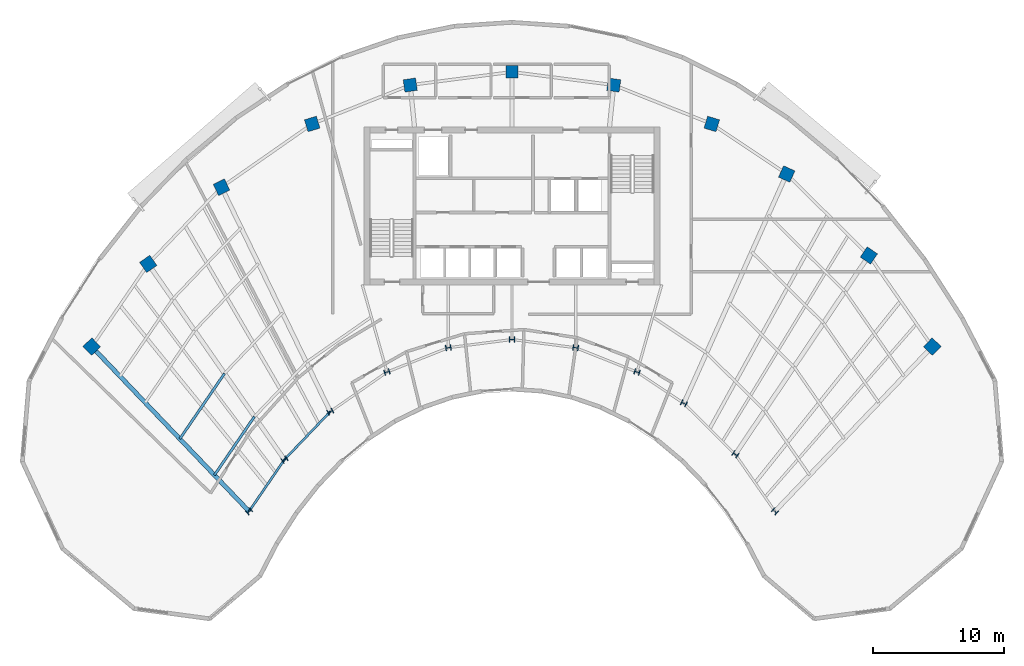
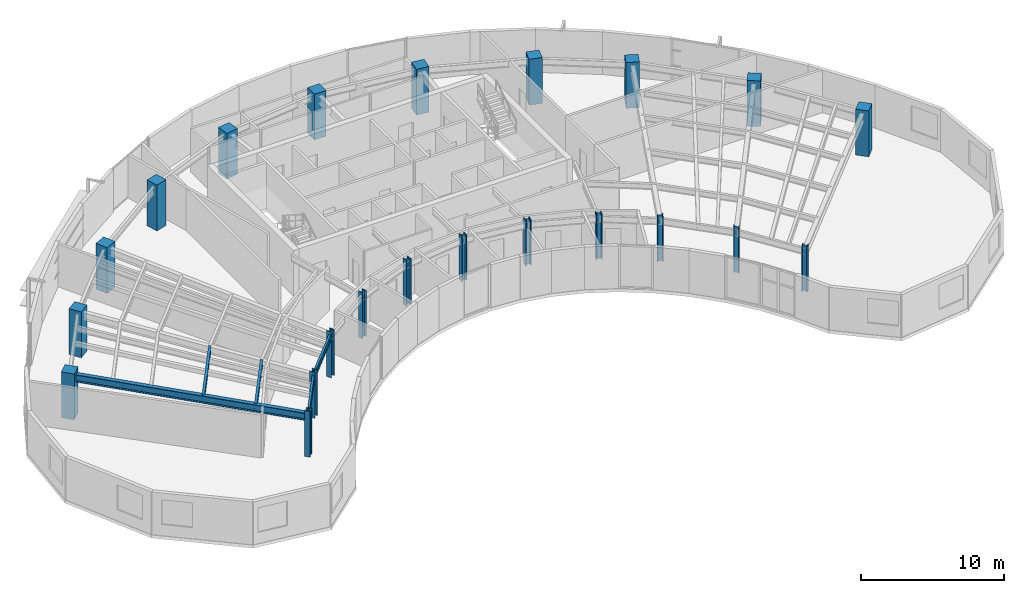
# One storey, part 1 of 14: 22 columns, 5 beams.
"""IFC4 building model written with IfcOpenShell, lengths in metres."""

import ifcopenshell
import ifcopenshell.guid

model = None  # the IFC model being written
_history = None  # IfcOwnerHistory: only IFC2X3 demands one
_inside = {}  # id of a spatial element -> (the spatial element, [elements in it])
_under = {}  # id of a project, library or spatial element -> (it, [spatial elements below it])
_declared = {}  # id of a project -> (the project, [libraries it declares])
_typed = {}  # id of a type object -> (the type object, [elements of that type])
_made_of = {}  # id of a material, layer set ... -> (it, [elements and type objects made of it])


def new_model(schema):
    """Start an empty IFC model of exactly this schema.

    Asked for "IFC4X3", IfcOpenShell would pick the latest addendum, in which some entities
    have other attributes; the version numbers below select the first issue.
    IFC2X3 requires an IfcOwnerHistory on every rooted entity: one is made here for all.
    """
    global model, _history
    if schema == "IFC4X3":
        model = ifcopenshell.file(schema_version=(4, 3, 0, 0))
    else:
        model = ifcopenshell.file(schema=schema)
    _inside.clear()
    _under.clear()
    _declared.clear()
    _typed.clear()
    _made_of.clear()
    _history = None
    if model.schema == "IFC2X3":
        org = make("IfcOrganization", Name="unknown")
        user = make(
            "IfcPersonAndOrganization",
            ThePerson=make("IfcPerson", FamilyName="unknown"),
            TheOrganization=org,
        )
        app = make(
            "IfcApplication",
            ApplicationDeveloper=org,
            Version="unknown",
            ApplicationFullName="unknown",
            ApplicationIdentifier="unknown",
        )
        _history = make(
            "IfcOwnerHistory",
            OwningUser=user,
            OwningApplication=app,
            ChangeAction="ADDED",
            CreationDate=0,
        )
    return model


def make(cls, **values):
    """One entity of the class cls with the attributes given. An attribute that is None is left unset."""
    return model.create_entity(
        cls, **{name: value for name, value in values.items() if value is not None}
    )


def rooted(cls, **values):
    """An entity with a GlobalId (a new one), such as an element, a storey or a relation."""
    return make(cls, GlobalId=ifcopenshell.guid.new(), OwnerHistory=_history, **values)


def si_unit(unit_type, name, prefix=None):
    """IfcSIUnit, for example si_unit("LENGTHUNIT", "METRE", prefix="MILLI")."""
    return make("IfcSIUnit", UnitType=unit_type, Prefix=prefix, Name=name)


def assignment(units):
    """IfcUnitAssignment: the units of a project."""
    return None if units is None else make("IfcUnitAssignment", Units=units)


def point(xyz):
    """IfcCartesianPoint."""
    return None if xyz is None else make("IfcCartesianPoint", Coordinates=xyz)


def direction(xyz):
    """IfcDirection."""
    return None if xyz is None else make("IfcDirection", DirectionRatios=xyz)


def frame(location, z_axis=None, x_axis=None):
    """IfcAxis2Placement3D, a coordinate frame: its origin and axes. An axis left out is left unset."""
    return make(
        "IfcAxis2Placement3D",
        Location=point(location),
        Axis=direction(z_axis),
        RefDirection=direction(x_axis),
    )


def frame_2d(location, x_axis=None):
    """IfcAxis2Placement2D, a coordinate frame in the plane: its origin and x axis."""
    return make(
        "IfcAxis2Placement2D", Location=point(location), RefDirection=direction(x_axis)
    )


def origin():
    """The frame at (0, 0, 0) with its axes left unset."""
    return frame((0.0, 0.0, 0.0))


def origin_2d():
    """The frame at (0, 0) in the plane with its x axis left unset."""
    return frame_2d((0.0, 0.0))


def place(relative_to, where):
    """IfcLocalPlacement: puts the frame where relative to a parent placement (None: the world)."""
    return make(
        "IfcLocalPlacement", PlacementRelTo=relative_to, RelativePlacement=where
    )


def context(
    kind, dimensions, precision=None, world=None, true_north=None, identifier=None
):
    """IfcGeometricRepresentationContext, for example the 3D "Model" context."""
    return make(
        "IfcGeometricRepresentationContext",
        ContextIdentifier=identifier,
        ContextType=kind,
        CoordinateSpaceDimension=dimensions,
        Precision=precision,
        WorldCoordinateSystem=world,
        TrueNorth=true_north,
    )


def subcontext(parent, identifier, kind, view, scale=None):
    """IfcGeometricRepresentationSubContext, for example "Body" below "Model"."""
    return make(
        "IfcGeometricRepresentationSubContext",
        ContextIdentifier=identifier,
        ContextType=kind,
        ParentContext=parent,
        TargetScale=scale,
        TargetView=view,
    )


def project(units=None, contexts=None):
    """IfcProject with its units and contexts."""
    return rooted(
        "IfcProject",
        Name="project",
        RepresentationContexts=contexts,
        UnitsInContext=assignment(units),
    )


def spatial(cls, under=None, at=None, **own):
    """A site, building, storey or space (cls), placed at a placement, below another one or the project."""
    s = rooted(cls, ObjectPlacement=at, **own)
    if under is not None:
        _under.setdefault(under.id(), (under, []))[1].append(s)
    return s


def profile(cls, at=None, kind="AREA", **sizes):
    """A parametric profile (cls). Its sizes go by their IFC names, for example OverallWidth=200.0."""
    return make(cls, ProfileType=kind, Position=at, **sizes)


def rectangle(**sizes):
    """IfcRectangleProfileDef."""
    return profile("IfcRectangleProfileDef", **sizes)


def i_section(**sizes):
    """IfcIShapeProfileDef."""
    return profile("IfcIShapeProfileDef", **sizes)


def extrude(swept, where, along, depth):
    """IfcExtrudedAreaSolid: the profile swept, set in the frame where, extruded along a direction by depth."""
    return make(
        "IfcExtrudedAreaSolid",
        SweptArea=swept,
        Position=where,
        ExtrudedDirection=direction(along),
        Depth=depth,
    )


def shape(context_of_items, identifier, shape_type, items):
    """IfcShapeRepresentation: the items that make up one representation, for example the "Body"."""
    return make(
        "IfcShapeRepresentation",
        ContextOfItems=context_of_items,
        RepresentationIdentifier=identifier,
        RepresentationType=shape_type,
        Items=items,
    )


def source(mapping_origin, context_of_items, identifier, shape_type, items):
    """IfcRepresentationMap: a shape defined once, which mapped items show again and again."""
    return make(
        "IfcRepresentationMap",
        MappingOrigin=mapping_origin,
        MappedRepresentation=shape(context_of_items, identifier, shape_type, items),
    )


def transform(
    local_origin,
    x_axis=None,
    y_axis=None,
    z_axis=None,
    scale=None,
    scale2=None,
    scale3=None,
    uniform=True,
):
    """IfcCartesianTransformationOperator3D, or its non-uniform kind. x_axis, y_axis, z_axis: its Axis1, 2, 3."""
    if uniform:
        return make(
            "IfcCartesianTransformationOperator3D",
            Axis1=direction(x_axis),
            Axis2=direction(y_axis),
            LocalOrigin=point(local_origin),
            Scale=scale,
            Axis3=direction(z_axis),
        )
    return make(
        "IfcCartesianTransformationOperator3DnonUniform",
        Axis1=direction(x_axis),
        Axis2=direction(y_axis),
        LocalOrigin=point(local_origin),
        Scale=scale,
        Axis3=direction(z_axis),
        Scale2=scale2,
        Scale3=scale3,
    )


def mapped(mapping_source, mapping_target):
    """IfcMappedItem: shows the shape of a source again, moved by a transform."""
    return make(
        "IfcMappedItem", MappingSource=mapping_source, MappingTarget=mapping_target
    )


def material(Name=None, Category=None):
    """IfcMaterial."""
    return make("IfcMaterial", Name=Name, Category=Category)


def material_profile(
    of_material, cross_section, Name=None, Category=None, Priority=None
):
    """IfcMaterialProfile: a cross section and its material."""
    return make(
        "IfcMaterialProfile",
        Name=Name,
        Material=of_material,
        Profile=cross_section,
        Priority=Priority,
        Category=Category,
    )


def profile_set(profiles, Name=None, composite=None):
    """IfcMaterialProfileSet."""
    return make(
        "IfcMaterialProfileSet",
        Name=Name,
        MaterialProfiles=profiles,
        CompositeProfile=composite,
    )


def made_of(thing, what):
    """Note that an element or type object is made of a material, layer set ...; save() writes the relation."""
    if what is not None:
        _made_of.setdefault(what.id(), (what, []))[1].append(thing)
    return thing


def type_object(cls, material=None, **own):
    """A type object (cls), such as IfcWallType, which elements share."""
    return made_of(rooted(cls, **own), material)


def type_shapes(of_type, sources):
    """Give a type object the sources (RepresentationMaps) that its elements show as mapped items."""
    of_type.RepresentationMaps = sources


def element(
    cls,
    number,
    at=None,
    inside=None,
    cuts=None,
    type_object=None,
    material=None,
    context=None,
    identifier="Body",
    shape_type=None,
    held_by="IfcProductDefinitionShape",
    body=None,
    shapes=None,
    **own,
):
    """One element of the class cls, such as IfcWall. Its Tag is "e" and its number.

    at: its placement. inside: the storey or other place that contains it. cuts: it is an
    opening in that element (IfcRelVoidsElement). A single representation is given by context,
    identifier, shape_type and body (its items); several are given by shapes. held_by: the class
    of the entity that holds the representations. save() writes the other relations.
    """
    e = rooted(cls, Tag="e%d" % number, ObjectPlacement=at, **own)
    if body is not None:
        shapes = [shape(context, identifier, shape_type, body)]
    if shapes is not None:
        e.Representation = make(held_by, Representations=shapes)
    if inside is not None:
        _inside.setdefault(inside.id(), (inside, []))[1].append(e)
    if cuts is not None:
        rooted(
            "IfcRelVoidsElement", RelatingBuildingElement=cuts, RelatedOpeningElement=e
        )
    if type_object is not None:
        _typed.setdefault(type_object.id(), (type_object, []))[1].append(e)
    return made_of(e, material)


def aggregate(whole, parts):
    """IfcRelAggregates: a whole, such as a stair, and the parts it consists of."""
    return rooted("IfcRelAggregates", RelatingObject=whole, RelatedObjects=parts)


def save(model, path):
    """Write the relations noted so far, then the file.

    IfcRelAggregates (storeys below a building ...), IfcRelContainedInSpatialStructure (elements
    in a storey), IfcRelDefinesByType, IfcRelAssociatesMaterial and IfcRelDeclares: one each for
    every whole, place, type object, material and project.
    """
    for whole, parts in _under.values():
        aggregate(whole, parts)
    for where, things in _inside.values():
        rooted(
            "IfcRelContainedInSpatialStructure",
            RelatedElements=things,
            RelatingStructure=where,
        )
    for kind, things in _typed.values():
        rooted("IfcRelDefinesByType", RelatedObjects=things, RelatingType=kind)
    for what, things in _made_of.values():
        rooted("IfcRelAssociatesMaterial", RelatedObjects=things, RelatingMaterial=what)
    for by, libraries in _declared.values():
        rooted("IfcRelDeclares", RelatingContext=by, RelatedDefinitions=libraries)
    model.write(path)


model = new_model("IFC4")

# Units and contexts
model_context = context("Model", 3, precision=1e-05, world=origin(), true_north=direction((0.0, 1.0)))
body_context = subcontext(model_context, "Body", "Model", "MODEL_VIEW")
ifc_project = project(units=[si_unit("LENGTHUNIT", "METRE"), si_unit("AREAUNIT", "SQUARE_METRE"), si_unit("VOLUMEUNIT", "CUBIC_METRE"), si_unit("PLANEANGLEUNIT", "RADIAN"), si_unit("MASSUNIT", "GRAM", prefix="KILO")], contexts=[model_context])

# Site, building, storey
site_placement = place(None, origin())
site = spatial("IfcSite", under=ifc_project, at=site_placement, CompositionType="ELEMENT")
building_placement = place(site_placement, origin())
building = spatial("IfcBuilding", under=site, at=building_placement, Name="Breltana Convention Tower", CompositionType="ELEMENT")
storey_placement = place(building_placement, frame((0.0, 0.0, 219.60009765625)))
storey = spatial("IfcBuildingStorey", under=building, at=storey_placement, Name="L53", CompositionType="ELEMENT", Elevation=219.60009765625)

# Columns
ifc_material_1 = material(Name="Steel ASTM A992 Grade 50", Category="steel")
ifc_material_profile_1 = material_profile(ifc_material_1, i_section(OverallWidth=0.406005859375, OverallDepth=0.416015625, WebThickness=0.02978515625, FlangeThickness=0.048095703125, at=origin_2d()), Name="W14X257")
ifc_profile_set_1 = profile_set([ifc_material_profile_1], Name="Steel ASTM A992 Grade 50")
column_type_1 = type_object("IfcColumnType", Name="COL-STL-W14X257", PredefinedType="COLUMN", material=ifc_profile_set_1)
shared_shape_1 = source(origin(), body_context, "Body", "SweptSolid", [
    extrude(i_section(OverallWidth=0.406005859375, OverallDepth=0.416015625, WebThickness=0.02978515625, FlangeThickness=0.048095703125, at=origin_2d()), origin(), (0.0, 0.0, 1.0), 3.89990234375),
])
for number, where, z_axis, x_axis, name in (
    (1, (27.984619140625, 42.95458984375, 0.0), (0.0, 0.0, 1.0), (-0.690756218984, 0.723087716626, 0.0), "L53 Tower Column R01-IN"),
    (2, (30.67724609375, 46.892333984375, 0.0), (0.0, 0.0, 1.0), (-0.571143442153, 0.820850271661, 0.0), "L53 Tower Column R02-IN"),
    (3, (34.166259765625, 50.544921875, 0.0), (0.0, 0.0, 1.0), (-0.436173672171, 0.899862504889, 0.0), "L53 Tower Column R03-IN"),
    (4, (38.485107421875, 53.5576171875, 0.0), (0.0, 0.0, 1.0), (-0.288697611798, 0.957420330337, 0.0), "L53 Tower Column R04-IN"),
    (5, (43.153564453125, 55.41064453125, 0.0), (0.0, 0.0, 1.0), (-0.143492621991, 0.98965138682, 0.0), "L53 Tower Column R05-IN"),
    (6, (48.0, 56.035888671875, 0.0), (0.0, 0.0, 1.0), (0.0, 1.0, 0.0), "L53 Tower Column R06-IN"),
    (7, (52.846435546875, 55.41064453125, 0.0), (0.0, 0.0, 1.0), (0.143492621991, 0.98965138682, 0.0), "L53 Tower Column R07-IN"),
    (8, (57.514892578125, 53.5576171875, 0.0), (0.0, 0.0, 1.0), (0.288697611798, 0.957420330337, 0.0), "L53 Tower Column R08-IN"),
    (9, (61.08203125, 51.174560546875, 0.0), (0.0, 0.0, 1.0), (0.409126902895, 0.912477494148, 0.0), "L53 Tower Column R09-IN"),
    (10, (64.995849609375, 47.293701171875, 0.0), (0.0, 0.0, 1.0), (0.55774510898, 0.830012285095, 0.0), "L53 Tower Column R10-IN"),
    (11, (68.015380859375, 42.95458984375, 0.0), (0.0, 0.0, 1.0), (0.690756218984, 0.723087716626, 0.0), "L53 Tower Column R11-IN"),
):
    element("IfcColumn", number, at=place(storey_placement, frame(where, z_axis=z_axis, x_axis=x_axis)), inside=storey, type_object=column_type_1, Name=name, PredefinedType="COLUMN", context=body_context, shape_type="MappedRepresentation", body=[
        mapped(shared_shape_1, transform((0.0, 0.0, 0.0), scale=1.0)),
    ])
ifc_material_2 = material(Name="Concrete C50/60", Category="concrete")
ifc_material_profile_2 = material_profile(ifc_material_2, rectangle(XDim=0.949951171875, YDim=0.949951171875, at=origin_2d()), Name="RC-COL-950X950")
ifc_profile_set_2 = profile_set([ifc_material_profile_2], Name="Concrete C50/60")
column_type_2 = type_object("IfcColumnType", Name="COL-RC-950", PredefinedType="COLUMN", material=ifc_profile_set_2)
shared_shape_2 = source(origin(), body_context, "Body", "SweptSolid", [
    extrude(rectangle(XDim=0.949951171875, YDim=0.949951171875, at=origin_2d()), origin(), (0.0, 0.0, 1.0), 3.89990234375),
])
for number, where, z_axis, x_axis, name in (
    (12, (16.0068359375, 55.494384765625, 0.0), (0.0, 0.0, 1.0), (-0.690756218984, 0.723087716626, 0.0), "L53 Tower Column R01-OUT"),
    (13, (20.310791015625, 61.78857421875, 0.0), (0.0, 0.0, 1.0), (-0.571143442153, 0.820850271661, 0.0), "L53 Tower Column R02-OUT"),
    (14, (25.8876953125, 67.626953125, 0.0), (0.0, 0.0, 1.0), (-0.436173672171, 0.899862504889, 0.0), "L53 Tower Column R03-OUT"),
    (15, (32.791015625, 72.4423828125, 0.0), (0.0, 0.0, 1.0), (-0.288697611798, 0.957420330337, 0.0), "L53 Tower Column R04-OUT"),
    (16, (40.253173828125, 75.404296875, 0.0), (0.0, 0.0, 1.0), (-0.143492621991, 0.98965138682, 0.0), "L53 Tower Column R05-OUT"),
    (17, (48.0, 76.404052734375, 0.0), (0.0, 0.0, 1.0), (0.0, 1.0, 0.0), "L53 Tower Column R06-OUT"),
    (18, (55.746826171875, 75.404296875, 0.0), (0.0, 0.0, 1.0), (0.143492621991, 0.98965138682, 0.0), "L53 Tower Column R07-OUT"),
    (19, (63.208984375, 72.4423828125, 0.0), (0.0, 0.0, 1.0), (0.288697611798, 0.957420330337, 0.0), "L53 Tower Column R08-OUT"),
    (20, (68.910400390625, 68.63330078125, 0.0), (0.0, 0.0, 1.0), (0.409126902895, 0.912477494148, 0.0), "L53 Tower Column R09-OUT"),
    (21, (75.166748046875, 62.43017578125, 0.0), (0.0, 0.0, 1.0), (0.55774510898, 0.830012285095, 0.0), "L53 Tower Column R10-OUT"),
    (22, (79.9931640625, 55.494384765625, 0.0), (0.0, 0.0, 1.0), (0.690756218984, 0.723087716626, 0.0), "L53 Tower Column R11-OUT"),
):
    element("IfcColumn", number, at=place(storey_placement, frame(where, z_axis=z_axis, x_axis=x_axis)), inside=storey, type_object=column_type_2, Name=name, PredefinedType="COLUMN", context=body_context, shape_type="MappedRepresentation", body=[
        mapped(shared_shape_2, transform((0.0, 0.0, 0.0), scale=1.0)),
    ])

# Beams
ifc_material_profile_3 = material_profile(ifc_material_1, i_section(OverallWidth=0.19091796875, OverallDepth=0.4599609375, WebThickness=0.010009765625, FlangeThickness=0.01611328125, at=origin_2d()), Name="W18X55")
ifc_profile_set_3 = profile_set([ifc_material_profile_3], Name="Steel ASTM A992 Grade 50")
beam_type_1 = type_object("IfcBeamType", Name="BM-JSG-07", PredefinedType="JOIST", material=ifc_profile_set_3)
shared_shape_3 = source(origin(), body_context, "Body", "SweptSolid", [
    extrude(i_section(OverallWidth=0.19091796875, OverallDepth=0.4599609375, WebThickness=0.010009765625, FlangeThickness=0.01611328125, at=origin_2d()), origin(), (0.0, 0.0, 1.0), 5.3984375),
])
type_shapes(beam_type_1, [shared_shape_3])
beam_1_placement = place(storey_placement, frame((25.349365234375, 45.71337890625, 3.409912109375), z_axis=(0.564440705434, 0.825473615599, 0.0), x_axis=(-0.825473615599, 0.564440705434, 0.0)))
element("IfcBeam", 23, at=beam_1_placement, inside=storey, type_object=beam_type_1, Name="L53 Composite Floor Joist 01.1", PredefinedType="JOIST", context=body_context, shape_type="MappedRepresentation", body=[
    mapped(shared_shape_3, transform((0.0, 0.0, 0.0), scale=1.0)),
])
shared_shape_4 = source(origin(), body_context, "Body", "SweptSolid", [
    extrude(i_section(OverallWidth=0.19091796875, OverallDepth=0.4599609375, WebThickness=0.010009765625, FlangeThickness=0.01611328125, at=origin_2d()), origin(), (0.0, 0.0, 1.0), 6.0263671875),
])
beam_2_placement = place(storey_placement, frame((22.71435546875, 48.47216796875, 3.409912109375), z_axis=(0.564450071397, 0.825467211281, 0.0), x_axis=(-0.825467211281, 0.564450071397, 0.0)))
element("IfcBeam", 24, at=beam_2_placement, inside=storey, type_object=beam_type_1, Name="L53 Composite Floor Joist 01.2", PredefinedType="JOIST", context=body_context, shape_type="MappedRepresentation", body=[
    mapped(shared_shape_4, transform((0.0, 0.0, 0.0), scale=1.0)),
])
ifc_material_profile_4 = material_profile(ifc_material_1, i_section(OverallWidth=0.166015625, OverallDepth=0.534912109375, WebThickness=0.01025390625, FlangeThickness=0.0166015625, at=origin_2d()), Name="W21X57")
ifc_profile_set_4 = profile_set([ifc_material_profile_4], Name="Steel ASTM A992 Grade 50")
beam_type_2 = type_object("IfcBeamType", Name="BM-BM-W21X57", PredefinedType="BEAM", material=ifc_profile_set_4)
shared_shape_5 = source(origin(), body_context, "Body", "SweptSolid", [
    extrude(i_section(OverallWidth=0.166015625, OverallDepth=0.534912109375, WebThickness=0.01025390625, FlangeThickness=0.0166015625, at=origin_2d()), origin(), (0.0, 0.0, 1.0), 4.770263671875),
])
beam_3_placement = place(storey_placement, frame((27.984619140625, 42.95458984375, 3.372314453125), z_axis=(0.564452719055, 0.82546540082, 0.0), x_axis=(-0.82546540082, 0.564452719055, 0.0)))
element("IfcBeam", 25, at=beam_3_placement, inside=storey, type_object=beam_type_2, Name="L53 Inner Ring Beam 01", PredefinedType="BEAM", context=body_context, shape_type="MappedRepresentation", body=[
    mapped(shared_shape_5, transform((0.0, 0.0, 0.0), scale=1.0)),
])
shared_shape_6 = source(origin(), body_context, "Body", "SweptSolid", [
    extrude(i_section(OverallWidth=0.166015625, OverallDepth=0.534912109375, WebThickness=0.01025390625, FlangeThickness=0.0166015625, at=origin_2d()), origin(), (0.0, 0.0, 1.0), 5.05126953125),
])
beam_4_placement = place(storey_placement, frame((30.67724609375, 46.892333984375, 3.372314453125), z_axis=(0.690729753845, 0.7231129975, 0.0), x_axis=(-0.7231129975, 0.690729753845, 0.0)))
element("IfcBeam", 26, at=beam_4_placement, inside=storey, type_object=beam_type_2, Name="L53 Inner Ring Beam 02", PredefinedType="BEAM", context=body_context, shape_type="MappedRepresentation", body=[
    mapped(shared_shape_6, transform((0.0, 0.0, 0.0), scale=1.0)),
])
ifc_material_profile_5 = material_profile(ifc_material_1, i_section(OverallWidth=0.326904296875, OverallDepth=0.6220703125, WebThickness=0.015380859375, FlangeThickness=0.0244140625, at=origin_2d()), Name="W24X131")
ifc_profile_set_5 = profile_set([ifc_material_profile_5], Name="Steel ASTM A992 Grade 50")
beam_type_3 = type_object("IfcBeamType", Name="BM-RG-W24X131", PredefinedType="USERDEFINED", material=ifc_profile_set_5)
shared_shape_7 = source(origin(), body_context, "Body", "SweptSolid", [
    extrude(i_section(OverallWidth=0.326904296875, OverallDepth=0.6220703125, WebThickness=0.015380859375, FlangeThickness=0.0244140625, at=origin_2d()), origin(), (0.0, 0.0, 1.0), 17.341064453125),
])
type_shapes(beam_type_3, [shared_shape_7])
beam_5_placement = place(storey_placement, frame((27.984619140625, 42.95458984375, 3.328857421875), z_axis=(-0.690716462293, 0.723125693581, 0.0), x_axis=(-0.723125693581, -0.690716462293, 0.0)))
element("IfcBeam", 27, at=beam_5_placement, inside=storey, type_object=beam_type_3, Name="L53 Radial Floor Girder R01", ObjectType="GIRDER", PredefinedType="USERDEFINED", context=body_context, shape_type="MappedRepresentation", body=[
    mapped(shared_shape_7, transform((0.0, 0.0, 0.0), scale=1.0)),
])

save(model, "model.ifc")
